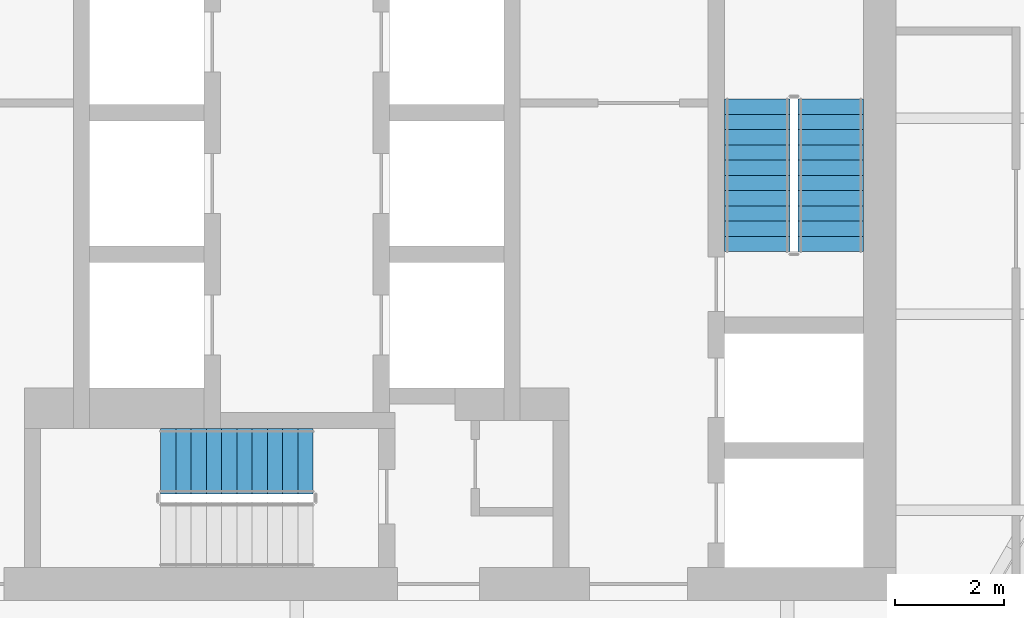
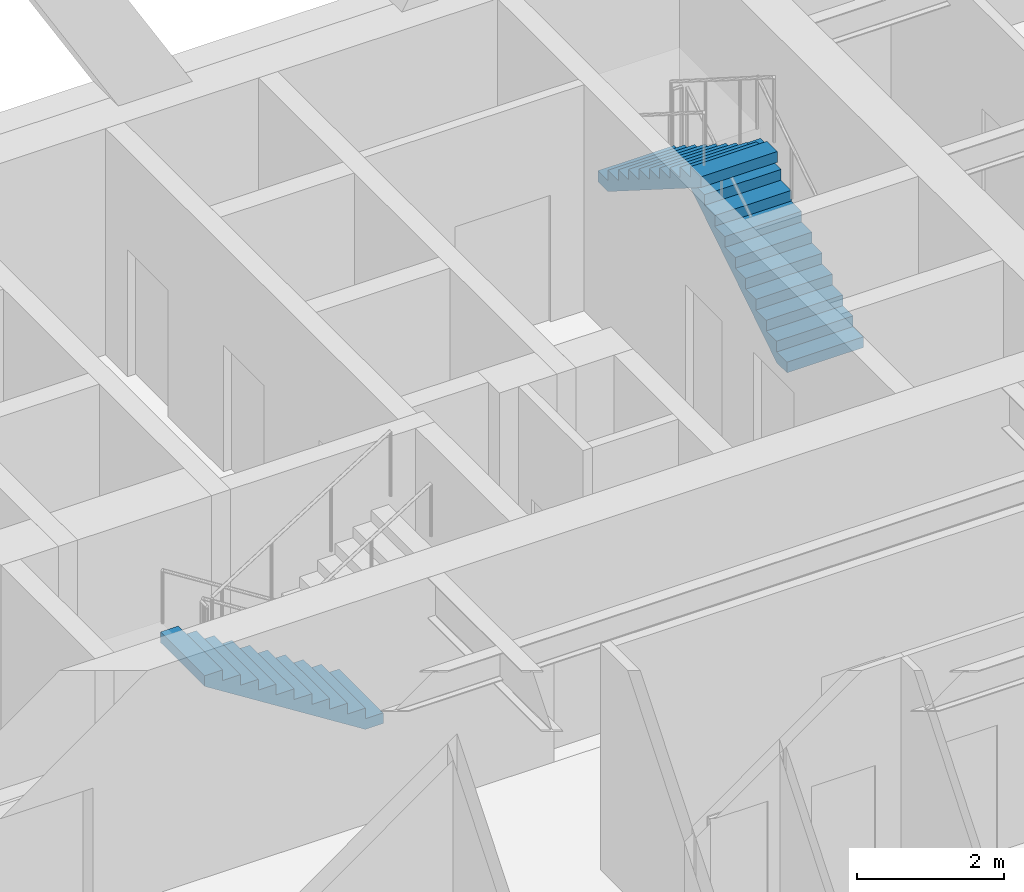
# One storey, part 6 of 7: 3 stair flights, 2 elements without a shape of their own.
"""IFC4 building model written with IfcOpenShell, lengths in metres."""

from ifc_helpers import new_model, si_unit, direction, frame, origin, place, context, subcontext, project, spatial, polyline, outline, extrude, material, type_object, element, aggregate, save


model = new_model("IFC4")

# Units and contexts
model_context = context("Model", 3, precision=1e-05, world=origin(), true_north=direction((0.0, 1.0)))
body_context = subcontext(model_context, "Body", "Model", "MODEL_VIEW")
ifc_project = project(units=[si_unit("LENGTHUNIT", "METRE"), si_unit("AREAUNIT", "SQUARE_METRE"), si_unit("VOLUMEUNIT", "CUBIC_METRE"), si_unit("PLANEANGLEUNIT", "RADIAN"), si_unit("MASSUNIT", "GRAM", prefix="KILO")], contexts=[model_context])

# Site, building, storey
site_placement = place(None, origin())
site = spatial("IfcSite", under=ifc_project, at=site_placement, CompositionType="ELEMENT")
building_placement = place(site_placement, origin())
building = spatial("IfcBuilding", under=site, at=building_placement, Name="Aloe Facet Convention Tower", CompositionType="ELEMENT")
storey_placement = place(building_placement, frame((0.0, 0.0, 246.5)))
storey = spatial("IfcBuildingStorey", under=building, at=storey_placement, Name="L60", CompositionType="ELEMENT", Elevation=246.5)

# Stair, stair flights
ifc_material_1 = material(Name="Concrete C50/60", Category="concrete")
stair_type = type_object("IfcStairType", Name="CR-ST-22R", PredefinedType="HALF_TURN_STAIR", material=ifc_material_1)
stair_1_placement = place(storey_placement, origin())
stair_1 = element("IfcStair", 1, at=stair_1_placement, inside=storey, type_object=stair_type, Name="L60 Protected exit stair ST2", PredefinedType="HALF_TURN_STAIR")
ifc_material_2 = material(Name="Concrete C50/60", Category="concrete")
stair_flight_type = type_object("IfcStairFlightType", Name="CR-SFL-22R", PredefinedType="STRAIGHT", material=ifc_material_2)
stair_flight_1_placement = place(storey_placement, frame((89.800048828125, 128.949951171875, 0.0), z_axis=(0.0, 0.0, 1.0), x_axis=(0.0, 1.0, 0.0)))
stair_flight_1 = element("IfcStairFlight", 2, at=stair_flight_1_placement, type_object=stair_flight_type, Name="ST2 flight 1", NumberOfRisers=11, NumberOfTreads=10, PredefinedType="STRAIGHT", RiserHeight=0.177272727, TreadLength=0.28, context=body_context, shape_type="SweptSolid", body=[
    extrude(outline(polyline([(0.0, 0.0), (0.0, 0.17724609375), (0.280029296875, 0.17724609375), (0.280029296875, 0.3544921875), (0.56005859375, 0.3544921875), (0.56005859375, 0.53173828125), (0.840087890625, 0.53173828125), (0.840087890625, 0.708984375), (1.1201171875, 0.708984375), (1.1201171875, 0.886474609375), (1.39990234375, 0.886474609375), (1.39990234375, 1.063720703125), (1.679931640625, 1.063720703125), (1.679931640625, 1.240966796875), (1.9599609375, 1.240966796875), (1.9599609375, 1.418212890625), (2.239990234375, 1.418212890625), (2.239990234375, 1.595458984375), (2.52001953125, 1.595458984375), (2.52001953125, 1.772705078125), (2.800048828125, 1.772705078125), (2.800048828125, 1.949951171875), (2.800048828125, 1.59521484375), (0.2802734375, 0.0), (0.0, 0.0)])), frame((0.0, 0.60009765625, 0.0), z_axis=(0.0, -1.0, 0.0), x_axis=(1.0, 0.0, 0.0)), (0.0, 0.0, 1.0), 1.199951171875),
])
stair_flight_2_placement = place(storey_placement, frame((88.449951171875, 131.75, 1.949951171875), z_axis=(0.0, 0.0, 1.0), x_axis=(0.0, -1.0, 0.0)))
stair_flight_2 = element("IfcStairFlight", 3, at=stair_flight_2_placement, type_object=stair_flight_type, Name="ST2 flight 2", NumberOfRisers=11, NumberOfTreads=10, PredefinedType="STRAIGHT", RiserHeight=0.177272727, TreadLength=0.28, context=body_context, shape_type="SweptSolid", body=[
    extrude(outline(polyline([(0.0, 0.0), (0.0, 0.17724609375), (0.280029296875, 0.17724609375), (0.280029296875, 0.3544921875), (0.56005859375, 0.3544921875), (0.56005859375, 0.53173828125), (0.840087890625, 0.53173828125), (0.840087890625, 0.708984375), (1.1201171875, 0.708984375), (1.1201171875, 0.886474609375), (1.39990234375, 0.886474609375), (1.39990234375, 1.063720703125), (1.679931640625, 1.063720703125), (1.679931640625, 1.240966796875), (1.9599609375, 1.240966796875), (1.9599609375, 1.418212890625), (2.239990234375, 1.418212890625), (2.239990234375, 1.595458984375), (2.52001953125, 1.595458984375), (2.52001953125, 1.772705078125), (2.800048828125, 1.772705078125), (2.800048828125, 1.949951171875), (2.800048828125, 1.59521484375), (0.2802734375, 0.0), (0.0, 0.0)])), frame((0.0, 0.60009765625, 0.0), z_axis=(0.0, -1.0, 0.0), x_axis=(1.0, 0.0, 0.0)), (0.0, 0.0, 1.0), 1.199951171875),
])
aggregate(stair_1, [stair_flight_1, stair_flight_2])

# Stair, stair flight
stair_2_placement = place(storey_placement, origin())
stair_2 = element("IfcStair", 4, at=stair_2_placement, inside=storey, type_object=stair_type, Name="L60 Protected exit stair ST3", PredefinedType="HALF_TURN_STAIR")
stair_flight_3_placement = place(storey_placement, frame((80.300048828125, 125.10009765625, 0.0), z_axis=(0.0, 0.0, 1.0), x_axis=(-1.0, 0.0, 0.0)))
stair_flight_3 = element("IfcStairFlight", 5, at=stair_flight_3_placement, type_object=stair_flight_type, Name="ST3 flight 1", NumberOfRisers=11, NumberOfTreads=10, PredefinedType="STRAIGHT", RiserHeight=0.177272727, TreadLength=0.28, context=body_context, shape_type="SweptSolid", body=[
    extrude(outline(polyline([(0.0, 0.0), (0.0, 0.17724609375), (0.280029296875, 0.17724609375), (0.280029296875, 0.3544921875), (0.56005859375, 0.3544921875), (0.56005859375, 0.53173828125), (0.840087890625, 0.53173828125), (0.840087890625, 0.708984375), (1.1201171875, 0.708984375), (1.1201171875, 0.886474609375), (1.39990234375, 0.886474609375), (1.39990234375, 1.063720703125), (1.679931640625, 1.063720703125), (1.679931640625, 1.240966796875), (1.9599609375, 1.240966796875), (1.9599609375, 1.418212890625), (2.239990234375, 1.418212890625), (2.239990234375, 1.595458984375), (2.52001953125, 1.595458984375), (2.52001953125, 1.772705078125), (2.800048828125, 1.772705078125), (2.800048828125, 1.949951171875), (2.800048828125, 1.59521484375), (0.2802734375, 0.0), (0.0, 0.0)])), frame((0.0, 0.60009765625, 0.0), z_axis=(0.0, -1.0, 0.0), x_axis=(1.0, 0.0, 0.0)), (0.0, 0.0, 1.0), 1.199951171875),
])
aggregate(stair_2, [stair_flight_3])

save(model, "model.ifc")
